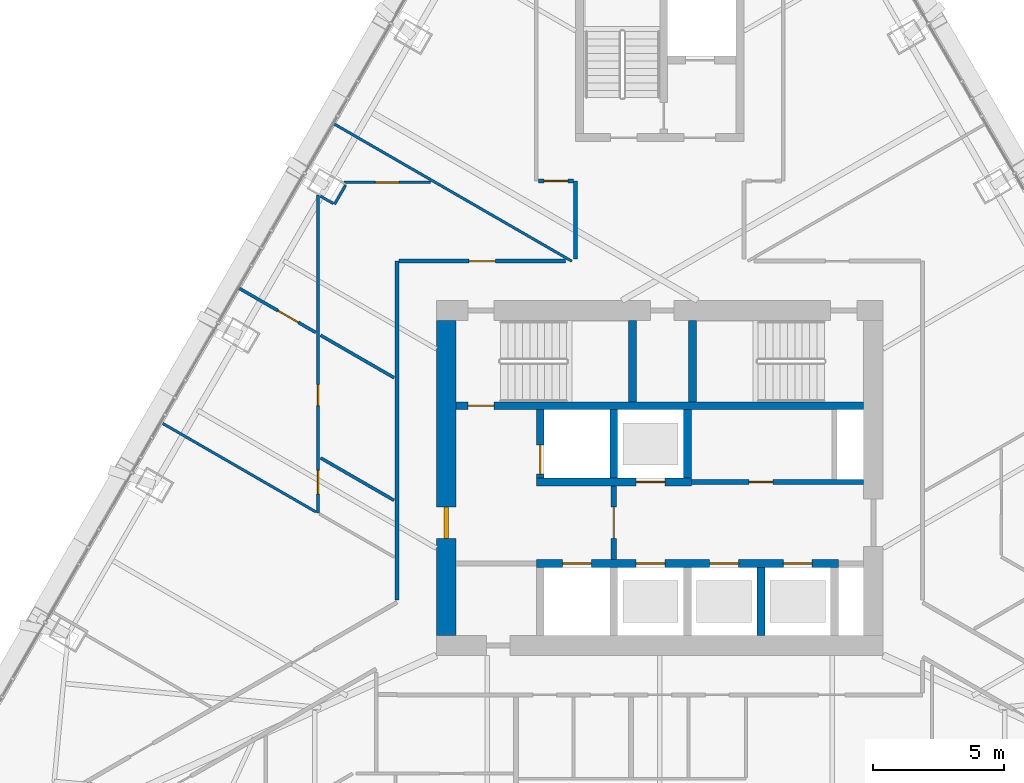
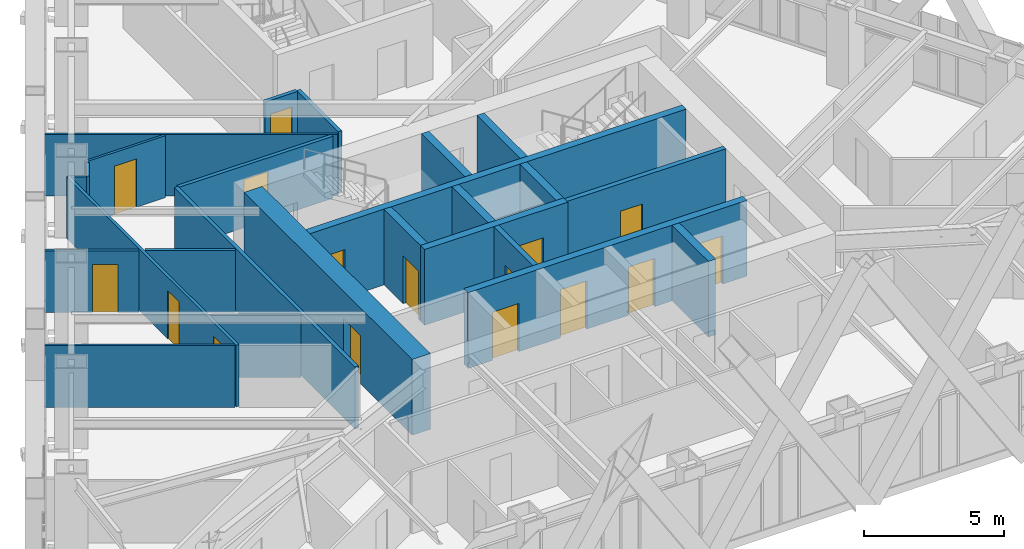
# One storey, part 21 of 25: 25 walls, 16 doors, 16 openings.
"""IFC4 building model written with IfcOpenShell, lengths in metres."""

from ifc_helpers import new_model, si_unit, direction, frame, frame_2d, origin, place, context, subcontext, project, spatial, rectangle, extrude, material, layer, layer_set, type_object, element, fill, save


model = new_model("IFC4")

# Units and contexts
model_context = context("Model", 3, precision=1e-05, world=origin(), true_north=direction((0.0, 1.0)))
body_context = subcontext(model_context, "Body", "Model", "MODEL_VIEW")
ifc_project = project(units=[si_unit("LENGTHUNIT", "METRE"), si_unit("AREAUNIT", "SQUARE_METRE"), si_unit("VOLUMEUNIT", "CUBIC_METRE"), si_unit("PLANEANGLEUNIT", "RADIAN"), si_unit("MASSUNIT", "GRAM", prefix="KILO")], contexts=[model_context])

# Site, building, storey
site_placement = place(None, origin())
site = spatial("IfcSite", under=ifc_project, at=site_placement, CompositionType="ELEMENT")
building_placement = place(site_placement, origin())
building = spatial("IfcBuilding", under=site, at=building_placement, Name="Firuza Gate Tower and Library", CompositionType="ELEMENT")
storey_placement = place(building_placement, frame((0.0, 0.0, 270.60009765625)))
storey = spatial("IfcBuildingStorey", under=building, at=storey_placement, Name="L64", CompositionType="ELEMENT", Elevation=270.60009765625)

# Wall, opening, door
ifc_material_1 = material(Name="Plasterboard on steel studs", Category="steel")
ifc_layer_1 = layer(ifc_material_1, 0.199951171875)
ifc_layer_set_1 = layer_set([ifc_layer_1], Name="Core partition 200 EI 120")
wall_type_1 = type_object("IfcWallType", Name="Core partition 200 EI 120", PredefinedType="PARTITIONING", material=ifc_layer_set_1)
wall_1_placement = place(storey_placement, frame((76.199951171875, 74.85009765625, 0.0), z_axis=(0.0, 0.0, 1.0), x_axis=(1.0, 0.0, 0.0)))
wall_1 = element("IfcWall", 1, at=wall_1_placement, inside=storey, type_object=wall_type_1, Name="Core partition L64 3", PredefinedType="PARTITIONING", context=body_context, shape_type="SweptSolid", body=[
    extrude(rectangle(XDim=6.550048828125, YDim=0.199951171875, at=frame_2d((3.27490234375, 0.0))), origin(), (0.0, 0.0, 1.0), 3.2998046875),
])
opening_1_placement = place(wall_1_placement, frame((2.199951171875, 0.0, 0.0)))
opening_1 = element("IfcOpeningElement", 2, at=opening_1_placement, cuts=wall_1, Name="Opening L64-K18", PredefinedType="OPENING", context=body_context, shape_type="SweptSolid", body=[
    extrude(rectangle(XDim=0.89990234375, YDim=2.10009765625, at=frame_2d((0.449951171875, 1.050048828125))), frame((0.0, 0.10986328125, 0.0), z_axis=(0.0, -1.0, 0.0), x_axis=(1.0, 0.0, 0.0)), (0.0, 0.0, 1.0), 0.219970703125),
])
ifc_material_2 = material(Name="Steel", Category="steel")
door_type_1 = type_object("IfcDoorType", Name="Fire door 900x2100 FD30S", OperationType="NOTDEFINED", PredefinedType="DOOR", material=ifc_material_2)
door_1_placement = place(opening_1_placement, origin())
door_1 = element("IfcDoor", 3, at=door_1_placement, inside=storey, type_object=door_type_1, Name="Door L64-K18", OperationType="SINGLE_SWING_LEFT", OverallHeight=2.10009765625, OverallWidth=0.89990234375, PredefinedType="DOOR", context=body_context, shape_type="SweptSolid", body=[
    extrude(rectangle(XDim=0.89990234375, YDim=2.10009765625, at=frame_2d((0.449951171875, 1.050048828125))), frame((0.0, 0.02490234375, 0.0), z_axis=(0.0, -1.0, 0.0), x_axis=(1.0, 0.0, 0.0)), (0.0, 0.0, 1.0), 0.050048828125),
])
fill(opening_1, door_1)

ifc_material_3 = material(Name="Plasterboard on steel studs", Category="steel")
ifc_layer_2 = layer(ifc_material_3, 0.199951171875)
ifc_layer_set_2 = layer_set([ifc_layer_2], Name="Core partition 200 EI 60")
wall_type_2 = type_object("IfcWallType", Name="Core partition 200 EI 60", PredefinedType="PARTITIONING", material=ifc_layer_set_2)
wall_2_placement = place(storey_placement, frame((73.25, 71.89990234375, 0.0), z_axis=(0.0, 0.0, 1.0), x_axis=(0.0, 1.0, 0.0)))
wall_2 = element("IfcWall", 4, at=wall_2_placement, inside=storey, type_object=wall_type_2, Name="Core partition L64 4", PredefinedType="PARTITIONING", context=body_context, shape_type="SweptSolid", body=[
    extrude(rectangle(XDim=2.800048828125, YDim=0.199951171875, at=frame_2d((1.39990234375, 0.0))), origin(), (0.0, 0.0, 1.0), 3.2998046875),
])
opening_2_placement = place(wall_2_placement, frame((0.800048828125, 0.0, 0.0)))
opening_2 = element("IfcOpeningElement", 5, at=opening_2_placement, cuts=wall_2, Name="Opening L64-K14", PredefinedType="OPENING", context=body_context, shape_type="SweptSolid", body=[
    extrude(rectangle(XDim=1.199951171875, YDim=2.10009765625, at=frame_2d((0.60009765625, 1.050048828125))), frame((0.0, 0.10986328125, 0.0), z_axis=(0.0, -1.0, 0.0), x_axis=(1.0, 0.0, 0.0)), (0.0, 0.0, 1.0), 0.219970703125),
])
ifc_material_4 = material(Name="Steel", Category="steel")
door_type_2 = type_object("IfcDoorType", Name="Fire door 1200x2100 FD90S", OperationType="NOTDEFINED", PredefinedType="DOOR", material=ifc_material_4)
door_2_placement = place(opening_2_placement, origin())
door_2 = element("IfcDoor", 6, at=door_2_placement, inside=storey, type_object=door_type_2, Name="Door L64-K14", OperationType="SINGLE_SWING_LEFT", OverallHeight=2.10009765625, OverallWidth=1.199951171875, PredefinedType="DOOR", context=body_context, shape_type="SweptSolid", body=[
    extrude(rectangle(XDim=1.199951171875, YDim=2.10009765625, at=frame_2d((0.60009765625, 1.050048828125))), frame((0.0, 0.02490234375, 0.0), z_axis=(0.0, -1.0, 0.0), x_axis=(1.0, 0.0, 0.0)), (0.0, 0.0, 1.0), 0.050048828125),
])
fill(opening_2, door_2)

# Wall, openings, doors
ifc_material_5 = material(Name="Concrete C60/75", Category="concrete")
ifc_layer_3 = layer(ifc_material_5, 0.300048828125)
ifc_layer_set_3 = layer_set([ifc_layer_3], Name="Core wall 300 C60/75")
wall_type_3 = type_object("IfcWallType", Name="Core wall 300 C60/75", PredefinedType="SHEAR", material=ifc_layer_set_3)
wall_3_placement = place(storey_placement, frame((70.300048828125, 71.75, 0.0), z_axis=(0.0, 0.0, 1.0), x_axis=(1.0, 0.0, 0.0)))
wall_3 = element("IfcWall", 7, at=wall_3_placement, inside=storey, type_object=wall_type_3, Name="Core wall L64 5", PredefinedType="SHEAR", context=body_context, shape_type="SweptSolid", body=[
    extrude(rectangle(XDim=11.5, YDim=0.300048828125, at=frame_2d((5.75, 0.0))), origin(), (0.0, 0.0, 1.0), 3.2998046875),
])
opening_3_placement = place(wall_3_placement, frame((1.0, 0.0, 0.0)))
opening_3 = element("IfcOpeningElement", 8, at=opening_3_placement, cuts=wall_3, Name="Opening LD-FF1-L64", PredefinedType="OPENING", context=body_context, shape_type="SweptSolid", body=[
    extrude(rectangle(XDim=1.10009765625, YDim=2.10009765625, at=frame_2d((0.550048828125, 1.050048828125))), frame((0.0, 0.16015625, 0.0), z_axis=(0.0, -1.0, 0.0), x_axis=(1.0, 0.0, 0.0)), (0.0, 0.0, 1.0), 0.320068359375),
])
opening_4_placement = place(wall_3_placement, frame((3.800048828125, 0.0, 0.0)))
opening_4 = element("IfcOpeningElement", 9, at=opening_4_placement, cuts=wall_3, Name="Opening LD-HR1-L64", PredefinedType="OPENING", context=body_context, shape_type="SweptSolid", body=[
    extrude(rectangle(XDim=1.10009765625, YDim=2.10009765625, at=frame_2d((0.550048828125, 1.050048828125))), frame((0.0, 0.16015625, 0.0), z_axis=(0.0, -1.0, 0.0), x_axis=(1.0, 0.0, 0.0)), (0.0, 0.0, 1.0), 0.320068359375),
])
opening_5_placement = place(wall_3_placement, frame((6.60009765625, 0.0, 0.0)))
opening_5 = element("IfcOpeningElement", 10, at=opening_5_placement, cuts=wall_3, Name="Opening LD-HR2-L64", PredefinedType="OPENING", context=body_context, shape_type="SweptSolid", body=[
    extrude(rectangle(XDim=1.10009765625, YDim=2.10009765625, at=frame_2d((0.550048828125, 1.050048828125))), frame((0.0, 0.16015625, 0.0), z_axis=(0.0, -1.0, 0.0), x_axis=(1.0, 0.0, 0.0)), (0.0, 0.0, 1.0), 0.320068359375),
])
opening_6_placement = place(wall_3_placement, frame((9.39990234375, 0.0, 0.0)))
opening_6 = element("IfcOpeningElement", 11, at=opening_6_placement, cuts=wall_3, Name="Opening LD-HR3-L64", PredefinedType="OPENING", context=body_context, shape_type="SweptSolid", body=[
    extrude(rectangle(XDim=1.10009765625, YDim=2.10009765625, at=frame_2d((0.550048828125, 1.050048828125))), frame((0.0, 0.16015625, 0.0), z_axis=(0.0, -1.0, 0.0), x_axis=(1.0, 0.0, 0.0)), (0.0, 0.0, 1.0), 0.320068359375),
])
ifc_material_6 = material(Name="Stainless steel", Category="steel")
door_type_3 = type_object("IfcDoorType", Name="Lift landing door 1100x2100", OperationType="DOUBLE_DOOR_SLIDING", PredefinedType="DOOR", material=ifc_material_6)
door_3_placement = place(opening_3_placement, origin())
door_3 = element("IfcDoor", 12, at=door_3_placement, inside=storey, type_object=door_type_3, Name="Landing door FF1 L64", OperationType="DOUBLE_DOOR_SLIDING", OverallHeight=2.10009765625, OverallWidth=1.10009765625, PredefinedType="DOOR", context=body_context, shape_type="SweptSolid", body=[
    extrude(rectangle(XDim=1.10009765625, YDim=2.10009765625, at=frame_2d((0.550048828125, 1.050048828125))), frame((0.0, 0.02490234375, 0.0), z_axis=(0.0, -1.0, 0.0), x_axis=(1.0, 0.0, 0.0)), (0.0, 0.0, 1.0), 0.050048828125),
])
fill(opening_3, door_3)
door_4_placement = place(opening_4_placement, origin())
door_4 = element("IfcDoor", 13, at=door_4_placement, inside=storey, type_object=door_type_3, Name="Landing door HR1 L64", OperationType="DOUBLE_DOOR_SLIDING", OverallHeight=2.10009765625, OverallWidth=1.10009765625, PredefinedType="DOOR", context=body_context, shape_type="SweptSolid", body=[
    extrude(rectangle(XDim=1.10009765625, YDim=2.10009765625, at=frame_2d((0.550048828125, 1.050048828125))), frame((0.0, 0.02490234375, 0.0), z_axis=(0.0, -1.0, 0.0), x_axis=(1.0, 0.0, 0.0)), (0.0, 0.0, 1.0), 0.050048828125),
])
fill(opening_4, door_4)
door_5_placement = place(opening_5_placement, origin())
door_5 = element("IfcDoor", 14, at=door_5_placement, inside=storey, type_object=door_type_3, Name="Landing door HR2 L64", OperationType="DOUBLE_DOOR_SLIDING", OverallHeight=2.10009765625, OverallWidth=1.10009765625, PredefinedType="DOOR", context=body_context, shape_type="SweptSolid", body=[
    extrude(rectangle(XDim=1.10009765625, YDim=2.10009765625, at=frame_2d((0.550048828125, 1.050048828125))), frame((0.0, 0.02490234375, 0.0), z_axis=(0.0, -1.0, 0.0), x_axis=(1.0, 0.0, 0.0)), (0.0, 0.0, 1.0), 0.050048828125),
])
fill(opening_5, door_5)
door_6_placement = place(opening_6_placement, origin())
door_6 = element("IfcDoor", 15, at=door_6_placement, inside=storey, type_object=door_type_3, Name="Landing door HR3 L64", OperationType="DOUBLE_DOOR_SLIDING", OverallHeight=2.10009765625, OverallWidth=1.10009765625, PredefinedType="DOOR", context=body_context, shape_type="SweptSolid", body=[
    extrude(rectangle(XDim=1.10009765625, YDim=2.10009765625, at=frame_2d((0.550048828125, 1.050048828125))), frame((0.0, 0.02490234375, 0.0), z_axis=(0.0, -1.0, 0.0), x_axis=(1.0, 0.0, 0.0)), (0.0, 0.0, 1.0), 0.050048828125),
])
fill(opening_6, door_6)

# Wall, opening, door
wall_4_placement = place(storey_placement, frame((70.300048828125, 74.85009765625, 0.0), z_axis=(0.0, 0.0, 1.0), x_axis=(1.0, 0.0, 0.0)))
wall_4 = element("IfcWall", 16, at=wall_4_placement, inside=storey, type_object=wall_type_3, Name="Core wall L64 6", PredefinedType="SHEAR", context=body_context, shape_type="SweptSolid", body=[
    extrude(rectangle(XDim=5.89990234375, YDim=0.300048828125, at=frame_2d((2.949951171875, 0.0))), origin(), (0.0, 0.0, 1.0), 3.2998046875),
])
opening_7_placement = place(wall_4_placement, frame((3.800048828125, 0.0, 0.0)))
opening_7 = element("IfcOpeningElement", 17, at=opening_7_placement, cuts=wall_4, Name="Opening LD-HR4-L64", PredefinedType="OPENING", context=body_context, shape_type="SweptSolid", body=[
    extrude(rectangle(XDim=1.10009765625, YDim=2.10009765625, at=frame_2d((0.550048828125, 1.050048828125))), frame((0.0, 0.16015625, 0.0), z_axis=(0.0, -1.0, 0.0), x_axis=(1.0, 0.0, 0.0)), (0.0, 0.0, 1.0), 0.320068359375),
])
door_7_placement = place(opening_7_placement, origin())
door_7 = element("IfcDoor", 18, at=door_7_placement, inside=storey, type_object=door_type_3, Name="Landing door HR4 L64", OperationType="DOUBLE_DOOR_SLIDING", OverallHeight=2.10009765625, OverallWidth=1.10009765625, PredefinedType="DOOR", context=body_context, shape_type="SweptSolid", body=[
    extrude(rectangle(XDim=1.10009765625, YDim=2.10009765625, at=frame_2d((0.550048828125, 1.050048828125))), frame((0.0, 0.02490234375, 0.0), z_axis=(0.0, -1.0, 0.0), x_axis=(1.0, 0.0, 0.0)), (0.0, 0.0, 1.0), 0.050048828125),
])
fill(opening_7, door_7)

wall_5_placement = place(storey_placement, frame((70.449951171875, 75.0, 0.0), z_axis=(0.0, 0.0, 1.0), x_axis=(0.0, 1.0, 0.0)))
wall_5 = element("IfcWall", 19, at=wall_5_placement, inside=storey, type_object=wall_type_3, Name="Core wall L64 8", PredefinedType="SHEAR", context=body_context, shape_type="SweptSolid", body=[
    extrude(rectangle(XDim=2.60009765625, YDim=0.300048828125, at=frame_2d((1.300048828125, 0.0))), origin(), (0.0, 0.0, 1.0), 3.2998046875),
])
opening_8_placement = place(wall_5_placement, frame((0.14990234375, 0.0, 0.0)))
opening_8 = element("IfcOpeningElement", 20, at=opening_8_placement, cuts=wall_5, Name="Opening LD-FF2-L64", PredefinedType="OPENING", context=body_context, shape_type="SweptSolid", body=[
    extrude(rectangle(XDim=1.10009765625, YDim=2.10009765625, at=frame_2d((0.550048828125, 1.050048828125))), frame((0.0, 0.16015625, 0.0), z_axis=(0.0, -1.0, 0.0), x_axis=(1.0, 0.0, 0.0)), (0.0, 0.0, 1.0), 0.320068359375),
])
door_8_placement = place(opening_8_placement, origin())
door_8 = element("IfcDoor", 21, at=door_8_placement, inside=storey, type_object=door_type_3, Name="Landing door FF2 L64", OperationType="DOUBLE_DOOR_SLIDING", OverallHeight=2.10009765625, OverallWidth=1.10009765625, PredefinedType="DOOR", context=body_context, shape_type="SweptSolid", body=[
    extrude(rectangle(XDim=1.10009765625, YDim=2.10009765625, at=frame_2d((0.550048828125, 1.050048828125))), frame((0.0, 0.02490234375, 0.0), z_axis=(0.0, -1.0, 0.0), x_axis=(1.0, 0.0, 0.0)), (0.0, 0.0, 1.0), 0.050048828125),
])
fill(opening_8, door_8)

# Walls
for number, where, z_axis, x_axis, name in (
    (22, (73.25, 75.0, 0.0), (0.0, 0.0, 1.0), (0.0, 1.0, 0.0), "Core wall L64 10"),
    (23, (76.050048828125, 75.0, 0.0), (0.0, 0.0, 1.0), (0.0, 1.0, 0.0), "Core wall L64 12"),
    (24, (78.85009765625, 69.0, 0.0), (0.0, 0.0, 1.0), (0.0, 1.0, 0.0), "Core wall L64 13"),
):
    element("IfcWall", number, at=place(storey_placement, frame(where, z_axis=z_axis, x_axis=x_axis)), inside=storey, type_object=wall_type_3, Name=name, PredefinedType="SHEAR", context=body_context, shape_type="SweptSolid", body=[
        extrude(rectangle(XDim=2.60009765625, YDim=0.300048828125, at=frame_2d((1.300048828125, 0.0))), origin(), (0.0, 0.0, 1.0), 3.2998046875),
    ])

# Wall, opening, door
wall_6_placement = place(storey_placement, frame((67.25, 77.75, 0.0), z_axis=(0.0, 0.0, 1.0), x_axis=(1.0, 0.0, 0.0)))
wall_6 = element("IfcWall", 25, at=wall_6_placement, inside=storey, type_object=wall_type_3, Name="Core wall L64 15", PredefinedType="SHEAR", context=body_context, shape_type="SweptSolid", body=[
    extrude(rectangle(XDim=15.5, YDim=0.300048828125, at=frame_2d((7.75, 0.0))), origin(), (0.0, 0.0, 1.0), 3.2998046875),
])
opening_9_placement = place(wall_6_placement, frame((0.445068359375, 0.0, 0.0)))
opening_9 = element("IfcOpeningElement", 26, at=opening_9_placement, cuts=wall_6, Name="Opening L64-K08", PredefinedType="OPENING", context=body_context, shape_type="SweptSolid", body=[
    extrude(rectangle(XDim=1.0, YDim=2.10009765625, at=frame_2d((0.5, 1.050048828125))), frame((0.0, 0.16015625, 0.0), z_axis=(0.0, -1.0, 0.0), x_axis=(1.0, 0.0, 0.0)), (0.0, 0.0, 1.0), 0.320068359375),
])
ifc_material_7 = material(Name="Steel", Category="steel")
door_type_4 = type_object("IfcDoorType", Name="Fire door 1000x2100 FD90", OperationType="NOTDEFINED", PredefinedType="DOOR", material=ifc_material_7)
door_9_placement = place(opening_9_placement, origin())
door_9 = element("IfcDoor", 27, at=door_9_placement, inside=storey, type_object=door_type_4, Name="Door L64-K08", OperationType="SINGLE_SWING_LEFT", OverallHeight=2.10009765625, OverallWidth=1.0, PredefinedType="DOOR", context=body_context, shape_type="SweptSolid", body=[
    extrude(rectangle(XDim=1.0, YDim=2.10009765625, at=frame_2d((0.5, 1.050048828125))), frame((0.0, 0.02490234375, 0.0), z_axis=(0.0, -1.0, 0.0), x_axis=(1.0, 0.0, 0.0)), (0.0, 0.0, 1.0), 0.050048828125),
])
fill(opening_9, door_9)

# Walls
for number, where, z_axis, x_axis, name in (
    (28, (73.9599609375, 77.89990234375, 0.0), (0.0, 0.0, 1.0), (0.0, 1.0, 0.0), "Core wall L64 16"),
    (29, (76.239990234375, 77.89990234375, 0.0), (0.0, 0.0, 1.0), (0.0, 1.0, 0.0), "Core wall L64 17"),
):
    element("IfcWall", number, at=place(storey_placement, frame(where, z_axis=z_axis, x_axis=x_axis)), inside=storey, type_object=wall_type_3, Name=name, PredefinedType="SHEAR", context=body_context, shape_type="SweptSolid", body=[
        extrude(rectangle(XDim=3.10009765625, YDim=0.300048828125, at=frame_2d((1.550048828125, 0.0))), origin(), (0.0, 0.0, 1.0), 3.2998046875),
    ])

# Wall, opening, door
ifc_material_8 = material(Name="Concrete C60/75", Category="concrete")
ifc_layer_4 = layer(ifc_material_8, 0.75)
ifc_layer_set_4 = layer_set([ifc_layer_4], Name="Core wall 750 C60/75")
wall_type_4 = type_object("IfcWallType", Name="Core wall 750 C60/75", PredefinedType="SHEAR", material=ifc_layer_set_4)
wall_7_placement = place(storey_placement, frame((66.875, 69.0, 0.0), z_axis=(0.0, 0.0, 1.0), x_axis=(0.0, 1.0, 0.0)))
wall_7 = element("IfcWall", 30, at=wall_7_placement, inside=storey, type_object=wall_type_4, Name="Core wall L64 3", PredefinedType="SHEAR", context=body_context, shape_type="SweptSolid", body=[
    extrude(rectangle(XDim=12.0, YDim=0.75, at=frame_2d((6.0, 0.0))), origin(), (0.0, 0.0, 1.0), 3.2998046875),
])
opening_10_placement = place(wall_7_placement, frame((3.699951171875, 0.0, 0.0)))
opening_10 = element("IfcOpeningElement", 31, at=opening_10_placement, cuts=wall_7, Name="Opening L64-K15", PredefinedType="OPENING", context=body_context, shape_type="SweptSolid", body=[
    extrude(rectangle(XDim=1.199951171875, YDim=2.10009765625, at=frame_2d((0.60009765625, 1.050048828125))), frame((0.0, 0.385009765625, 0.0), z_axis=(0.0, -1.0, 0.0), x_axis=(1.0, 0.0, 0.0)), (0.0, 0.0, 1.0), 0.77001953125),
])
door_10_placement = place(opening_10_placement, origin())
door_10 = element("IfcDoor", 32, at=door_10_placement, inside=storey, type_object=door_type_2, Name="Door L64-K15", OperationType="SINGLE_SWING_RIGHT", OverallHeight=2.10009765625, OverallWidth=1.199951171875, PredefinedType="DOOR", context=body_context, shape_type="SweptSolid", body=[
    extrude(rectangle(XDim=1.199951171875, YDim=2.10009765625, at=frame_2d((0.60009765625, 1.050048828125))), frame((0.0, 0.094970703125, 0.0), z_axis=(0.0, -1.0, 0.0), x_axis=(1.0, 0.0, 0.0)), (0.0, 0.0, 1.0), 0.18994140625),
])
fill(opening_10, door_10)

ifc_material_9 = material(Name="Gypsum board partition")
ifc_layer_5 = layer(ifc_material_9, 0.14990234375)
ifc_layer_set_5 = layer_set([ifc_layer_5], Name="Corridor wall 150 double board on steel studs")
wall_type_5 = type_object("IfcWallType", Name="Corridor wall 150 double board on steel studs", PredefinedType="PARTITIONING", material=ifc_layer_set_5)
wall_8_placement = place(storey_placement, frame((65.074951171875, 83.25, 0.0), z_axis=(0.0, 0.0, 1.0), x_axis=(1.0, 0.0, 0.0)))
wall_8 = element("IfcWall", 33, at=wall_8_placement, inside=storey, type_object=wall_type_5, Name="f:L64:w006", PredefinedType="PARTITIONING", context=body_context, shape_type="SweptSolid", body=[
    extrude(rectangle(XDim=6.344970703125, YDim=0.14990234375, at=frame_2d((3.17236328125, 0.0))), origin(), (0.0, 0.0, 1.0), 2.699951171875),
])
opening_11_placement = place(wall_8_placement, frame((2.67236328125, 0.0, 0.0)))
opening_11 = element("IfcOpeningElement", 34, at=opening_11_placement, cuts=wall_8, Name="Opening L64-07", PredefinedType="OPENING", context=body_context, shape_type="SweptSolid", body=[
    extrude(rectangle(XDim=1.0, YDim=2.10009765625, at=frame_2d((0.5, 1.050048828125))), frame((0.0, 0.0849609375, 0.0), z_axis=(0.0, -1.0, 0.0), x_axis=(1.0, 0.0, 0.0)), (0.0, 0.0, 1.0), 0.169921875),
])
ifc_material_10 = material(Name="Steel door and timber leaf", Category="steel")
door_type_5 = type_object("IfcDoorType", Name="Fire door 1000 x 2100 steel frame, timber leaf", OperationType="NOTDEFINED", PredefinedType="DOOR", material=ifc_material_10)
door_11_placement = place(opening_11_placement, origin())
door_11 = element("IfcDoor", 35, at=door_11_placement, inside=storey, type_object=door_type_5, Name="f:L64:d007", OperationType="SINGLE_SWING_RIGHT", OverallHeight=2.10009765625, OverallWidth=1.0, PredefinedType="DOOR", context=body_context, shape_type="SweptSolid", body=[
    extrude(rectangle(XDim=1.0, YDim=2.10009765625, at=frame_2d((0.5, 1.050048828125))), frame((0.0, 0.02490234375, 0.0), z_axis=(0.0, -1.0, 0.0), x_axis=(1.0, 0.0, 0.0)), (0.0, 0.0, 1.0), 0.050048828125),
])
fill(opening_11, door_11)

wall_9_placement = place(storey_placement, frame((70.376953125, 86.300048828125, 0.0), z_axis=(0.0, 0.0, 1.0), x_axis=(1.0, 0.0, 0.0)))
wall_9 = element("IfcWall", 36, at=wall_9_placement, inside=storey, type_object=wall_type_5, Name="f:L64:w009", PredefinedType="PARTITIONING", context=body_context, shape_type="SweptSolid", body=[
    extrude(rectangle(XDim=1.347900390625, YDim=0.14990234375, at=frame_2d((0.673828125, 0.0))), origin(), (0.0, 0.0, 1.0), 2.699951171875),
])
opening_12_placement = place(wall_9_placement, frame((0.223876953125, 0.0, 0.0)))
opening_12 = element("IfcOpeningElement", 37, at=opening_12_placement, cuts=wall_9, Name="Opening L64-10", PredefinedType="OPENING", context=body_context, shape_type="SweptSolid", body=[
    extrude(rectangle(XDim=0.89990234375, YDim=2.10009765625, at=frame_2d((0.449951171875, 1.050048828125))), frame((0.0, 0.0849609375, 0.0), z_axis=(0.0, -1.0, 0.0), x_axis=(1.0, 0.0, 0.0)), (0.0, 0.0, 1.0), 0.169921875),
])
ifc_material_11 = material(Name="Steel door and timber leaf", Category="steel")
door_type_6 = type_object("IfcDoorType", Name="Fire door 900 x 2100 steel frame, timber leaf", OperationType="NOTDEFINED", PredefinedType="DOOR", material=ifc_material_11)
door_12_placement = place(opening_12_placement, origin())
door_12 = element("IfcDoor", 38, at=door_12_placement, inside=storey, type_object=door_type_6, Name="f:L64:d010", OperationType="SINGLE_SWING_RIGHT", OverallHeight=2.10009765625, OverallWidth=0.89990234375, PredefinedType="DOOR", context=body_context, shape_type="SweptSolid", body=[
    extrude(rectangle(XDim=0.89990234375, YDim=2.10009765625, at=frame_2d((0.449951171875, 1.050048828125))), frame((0.0, 0.02490234375, 0.0), z_axis=(0.0, -1.0, 0.0), x_axis=(1.0, 0.0, 0.0)), (0.0, 0.0, 1.0), 0.050048828125),
])
fill(opening_12, door_12)

# Walls
wall_10_placement = place(storey_placement, frame((71.800048828125, 83.324951171875, 0.0), z_axis=(0.0, 0.0, 1.0), x_axis=(0.0, 1.0, 0.0)))
element("IfcWall", 39, at=wall_10_placement, inside=storey, type_object=wall_type_5, Name="f:L64:w042", PredefinedType="PARTITIONING", context=body_context, shape_type="SweptSolid", body=[
    extrude(rectangle(XDim=2.97509765625, YDim=0.14990234375, at=frame_2d((1.487548828125, 0.0))), origin(), (0.0, 0.0, 1.0), 2.697021484375),
])
wall_11_placement = place(storey_placement, frame((65.0, 70.352294921875, 0.0), z_axis=(0.0, 0.0, 1.0), x_axis=(0.0, 1.0, 0.0)))
element("IfcWall", 40, at=wall_11_placement, inside=storey, type_object=wall_type_5, Name="f:L64:w047", PredefinedType="PARTITIONING", context=body_context, shape_type="SweptSolid", body=[
    extrude(rectangle(XDim=12.897705078125, YDim=0.14990234375, at=frame_2d((6.44873046875, 0.0))), origin(), (0.0, 0.0, 1.0), 2.699951171875),
])

# Wall, opening, door
ifc_material_12 = material(Name="Gypsum board partition")
ifc_layer_6 = layer(ifc_material_12, 0.10009765625)
ifc_layer_set_6 = layer_set([ifc_layer_6], Name="Partition 100 gypsum board on steel studs")
wall_type_6 = type_object("IfcWallType", Name="Partition 100 gypsum board on steel studs", PredefinedType="PARTITIONING", material=ifc_layer_set_6)
wall_12_placement = place(storey_placement, frame((66.2666015625, 86.25, 0.0), z_axis=(0.0, 0.0, 1.0), x_axis=(-1.0, 0.0, 0.0)))
wall_12 = element("IfcWall", 41, at=wall_12_placement, inside=storey, type_object=wall_type_6, Name="f:L64:w008", PredefinedType="PARTITIONING", context=body_context, shape_type="SweptSolid", body=[
    extrude(rectangle(XDim=3.286865234375, YDim=0.10009765625, at=frame_2d((1.6435546875, 0.0))), origin(), (0.0, 0.0, 1.0), 2.699951171875),
])
opening_13_placement = place(wall_12_placement, frame((1.193359375, 0.0, 0.0)))
opening_13 = element("IfcOpeningElement", 42, at=opening_13_placement, cuts=wall_12, Name="Opening L64-09", PredefinedType="OPENING", context=body_context, shape_type="SweptSolid", body=[
    extrude(rectangle(XDim=0.89990234375, YDim=2.10009765625, at=frame_2d((0.449951171875, 1.050048828125))), frame((0.0, 0.06005859375, 0.0), z_axis=(0.0, -1.0, 0.0), x_axis=(1.0, 0.0, 0.0)), (0.0, 0.0, 1.0), 0.1201171875),
])
ifc_material_13 = material(Name="Timber door", Category="wood")
door_type_7 = type_object("IfcDoorType", Name="Door 900 x 2100 timber leaf", OperationType="NOTDEFINED", PredefinedType="DOOR", material=ifc_material_13)
door_13_placement = place(opening_13_placement, origin())
door_13 = element("IfcDoor", 43, at=door_13_placement, inside=storey, type_object=door_type_7, Name="f:L64:d009", OperationType="SINGLE_SWING_RIGHT", OverallHeight=2.10009765625, OverallWidth=0.89990234375, PredefinedType="DOOR", context=body_context, shape_type="SweptSolid", body=[
    extrude(rectangle(XDim=0.89990234375, YDim=2.10009765625, at=frame_2d((0.449951171875, 1.050048828125))), frame((0.0, 0.02490234375, 0.0), z_axis=(0.0, -1.0, 0.0), x_axis=(1.0, 0.0, 0.0)), (0.0, 0.0, 1.0), 0.050048828125),
])
fill(opening_13, door_13)

# Walls
wall_13_placement = place(storey_placement, frame((62.625732421875, 85.4150390625, 0.0), z_axis=(0.0, 0.0, 1.0), x_axis=(0.499973348067, 0.866040790738, 0.0)))
element("IfcWall", 44, at=wall_13_placement, inside=storey, type_object=wall_type_6, Name="f:L64:w027", PredefinedType="PARTITIONING", context=body_context, shape_type="SweptSolid", body=[
    extrude(rectangle(XDim=0.84228515625, YDim=0.10009765625, at=frame_2d((0.421142578125, 0.0))), origin(), (0.0, 0.0, 1.0), 2.699951171875),
])
wall_14_placement = place(storey_placement, frame((71.65283203125, 83.25, 0.0), z_axis=(0.0, 0.0, 1.0), x_axis=(-0.866025448133, 0.499999923186, 0.0)))
element("IfcWall", 45, at=wall_14_placement, inside=storey, type_object=wall_type_6, Name="f:L64:w054", PredefinedType="PARTITIONING", context=body_context, shape_type="SweptSolid", body=[
    extrude(rectangle(XDim=10.4599609375, YDim=0.10009765625, at=frame_2d((5.22998046875, 0.0))), origin(), (0.0, 0.0, 1.0), 2.68798828125),
])
wall_15_placement = place(storey_placement, frame((62.57421875, 85.4453125, 0.0), z_axis=(0.0, 0.0, 1.0), x_axis=(-0.866048512801, 0.499959971872, 0.0)))
element("IfcWall", 46, at=wall_15_placement, inside=storey, type_object=wall_type_6, Name="f:L64:w056", PredefinedType="PARTITIONING", context=body_context, shape_type="SweptSolid", body=[
    extrude(rectangle(XDim=0.5634765625, YDim=0.10009765625, at=frame_2d((0.28173828125, 0.0))), origin(), (0.0, 0.0, 1.0), 2.68798828125),
])
wall_16_placement = place(storey_placement, frame((61.9150390625, 73.709716796875, 0.0), z_axis=(0.0, 0.0, 1.0), x_axis=(-0.866024081565, 0.500002290144, 0.0)))
element("IfcWall", 47, at=wall_16_placement, inside=storey, type_object=wall_type_6, Name="f:L64:w066", PredefinedType="PARTITIONING", context=body_context, shape_type="SweptSolid", body=[
    extrude(rectangle(XDim=6.796875, YDim=0.10009765625, at=frame_2d((3.3984375, 0.0))), origin(), (0.0, 0.0, 1.0), 2.68798828125),
])

# Wall, openings, doors
ifc_material_14 = material(Name="Gypsum board partition")
ifc_layer_7 = layer(ifc_material_14, 0.1201171875)
ifc_layer_set_7 = layer_set([ifc_layer_7], Name="Wet-area partition 120 moisture-resistant board")
wall_type_7 = type_object("IfcWallType", Name="Wet-area partition 120 moisture-resistant board", PredefinedType="PARTITIONING", material=ifc_layer_set_7)
wall_17_placement = place(storey_placement, frame((62.0, 85.7763671875, 0.0), z_axis=(0.0, 0.0, 1.0), x_axis=(0.0, -1.0, 0.0)))
wall_17 = element("IfcWall", 48, at=wall_17_placement, inside=storey, type_object=wall_type_7, Name="f:L64:w050", PredefinedType="PARTITIONING", context=body_context, shape_type="SweptSolid", body=[
    extrude(rectangle(XDim=12.115234375, YDim=0.1201171875, at=frame_2d((6.0576171875, 0.0))), origin(), (0.0, 0.0, 1.0), 2.68798828125),
])
opening_14_placement = place(wall_17_placement, frame((7.225830078125, 0.0, 0.0)))
opening_14 = element("IfcOpeningElement", 49, at=opening_14_placement, cuts=wall_17, Name="Opening L64-20", PredefinedType="OPENING", context=body_context, shape_type="SweptSolid", body=[
    extrude(rectangle(XDim=0.800048828125, YDim=2.10009765625, at=frame_2d((0.39990234375, 1.050048828125))), frame((0.0, 0.070068359375, 0.0), z_axis=(0.0, -1.0, 0.0), x_axis=(1.0, 0.0, 0.0)), (0.0, 0.0, 1.0), 0.14013671875),
])
opening_15_placement = place(wall_17_placement, frame((10.4873046875, 0.0, 0.0)))
opening_15 = element("IfcOpeningElement", 50, at=opening_15_placement, cuts=wall_17, Name="Opening L64-21", PredefinedType="OPENING", context=body_context, shape_type="SweptSolid", body=[
    extrude(rectangle(XDim=0.89990234375, YDim=2.10009765625, at=frame_2d((0.449951171875, 1.050048828125))), frame((0.0, 0.070068359375, 0.0), z_axis=(0.0, -1.0, 0.0), x_axis=(1.0, 0.0, 0.0)), (0.0, 0.0, 1.0), 0.14013671875),
])
ifc_material_15 = material(Name="Timber door", Category="wood")
door_type_8 = type_object("IfcDoorType", Name="Door 800 x 2100 timber leaf", OperationType="NOTDEFINED", PredefinedType="DOOR", material=ifc_material_15)
door_14_placement = place(opening_14_placement, origin())
door_14 = element("IfcDoor", 51, at=door_14_placement, inside=storey, type_object=door_type_8, Name="f:L64:d020", OperationType="SINGLE_SWING_RIGHT", OverallHeight=2.10009765625, OverallWidth=0.800048828125, PredefinedType="DOOR", context=body_context, shape_type="SweptSolid", body=[
    extrude(rectangle(XDim=0.800048828125, YDim=2.10009765625, at=frame_2d((0.39990234375, 1.050048828125))), frame((0.0, 0.02490234375, 0.0), z_axis=(0.0, -1.0, 0.0), x_axis=(1.0, 0.0, 0.0)), (0.0, 0.0, 1.0), 0.050048828125),
])
fill(opening_14, door_14)
door_15_placement = place(opening_15_placement, origin())
door_15 = element("IfcDoor", 52, at=door_15_placement, inside=storey, type_object=door_type_7, Name="f:L64:d021", OperationType="SINGLE_SWING_LEFT", OverallHeight=2.10009765625, OverallWidth=0.89990234375, PredefinedType="DOOR", context=body_context, shape_type="SweptSolid", body=[
    extrude(rectangle(XDim=0.89990234375, YDim=2.10009765625, at=frame_2d((0.449951171875, 1.050048828125))), frame((0.0, 0.02490234375, 0.0), z_axis=(0.0, -1.0, 0.0), x_axis=(1.0, 0.0, 0.0)), (0.0, 0.0, 1.0), 0.050048828125),
])
fill(opening_15, door_15)

# Walls
wall_18_placement = place(storey_placement, frame((64.890380859375, 78.815185546875, 0.0), z_axis=(0.0, 0.0, 1.0), x_axis=(-0.866032190624, 0.499988244665, 0.0)))
element("IfcWall", 53, at=wall_18_placement, inside=storey, type_object=wall_type_7, Name="f:L64:w060", PredefinedType="PARTITIONING", context=body_context, shape_type="SweptSolid", body=[
    extrude(rectangle(XDim=3.2333984375, YDim=0.1201171875, at=frame_2d((1.61669921875, 0.0))), origin(), (0.0, 0.0, 1.0), 2.699951171875),
])
wall_19_placement = place(storey_placement, frame((64.890625, 74.148681640625, 0.0), z_axis=(0.0, 0.0, 1.0), x_axis=(-0.866019355129, 0.500010476433, 0.0)))
element("IfcWall", 54, at=wall_19_placement, inside=storey, type_object=wall_type_7, Name="f:L64:w061", PredefinedType="PARTITIONING", context=body_context, shape_type="SweptSolid", body=[
    extrude(rectangle(XDim=3.228515625, YDim=0.1201171875, at=frame_2d((1.6142578125, 0.0))), origin(), (0.0, 0.0, 1.0), 2.699951171875),
])

# Wall, opening, door
wall_20_placement = place(storey_placement, frame((61.909912109375, 80.53564453125, 0.0), z_axis=(0.0, 0.0, 1.0), x_axis=(-0.866002725405, 0.500039278049, 0.0)))
wall_20 = element("IfcWall", 55, at=wall_20_placement, inside=storey, type_object=wall_type_7, Name="f:L64:w065", PredefinedType="PARTITIONING", context=body_context, shape_type="SweptSolid", body=[
    extrude(rectangle(XDim=3.379638671875, YDim=0.1201171875, at=frame_2d((1.68994140625, 0.0))), origin(), (0.0, 0.0, 1.0), 2.68798828125),
])
opening_16_placement = place(wall_20_placement, frame((0.759765625, 0.0, 0.0)))
opening_16 = element("IfcOpeningElement", 56, at=opening_16_placement, cuts=wall_20, Name="Opening L64-27", PredefinedType="OPENING", context=body_context, shape_type="SweptSolid", body=[
    extrude(rectangle(XDim=0.89990234375, YDim=2.10009765625, at=frame_2d((0.449951171875, 1.050048828125))), frame((0.0, 0.070068359375, 0.0), z_axis=(0.0, -1.0, 0.0), x_axis=(1.0, 0.0, 0.0)), (0.0, 0.0, 1.0), 0.14013671875),
])
door_16_placement = place(opening_16_placement, origin())
door_16 = element("IfcDoor", 57, at=door_16_placement, inside=storey, type_object=door_type_7, Name="f:L64:d027", OperationType="SINGLE_SWING_LEFT", OverallHeight=2.10009765625, OverallWidth=0.89990234375, PredefinedType="DOOR", context=body_context, shape_type="SweptSolid", body=[
    extrude(rectangle(XDim=0.89990234375, YDim=2.10009765625, at=frame_2d((0.449951171875, 1.050048828125))), frame((0.0, 0.02490234375, 0.0), z_axis=(0.0, -1.0, 0.0), x_axis=(1.0, 0.0, 0.0)), (0.0, 0.0, 1.0), 0.050048828125),
])
fill(opening_16, door_16)

save(model, "model.ifc")
